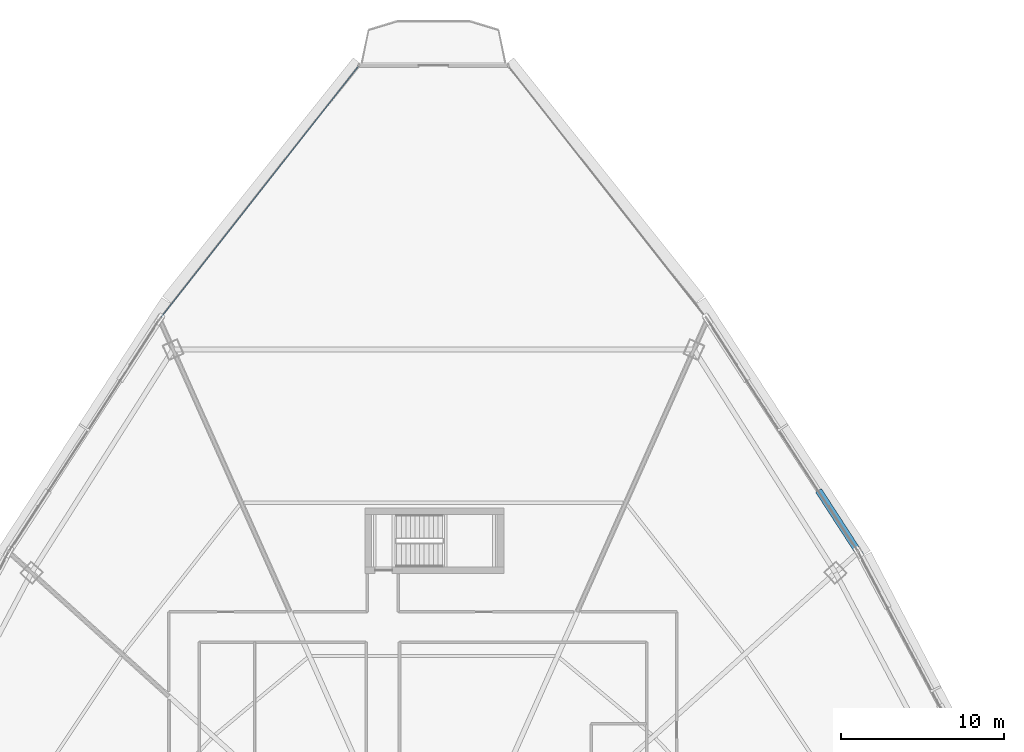
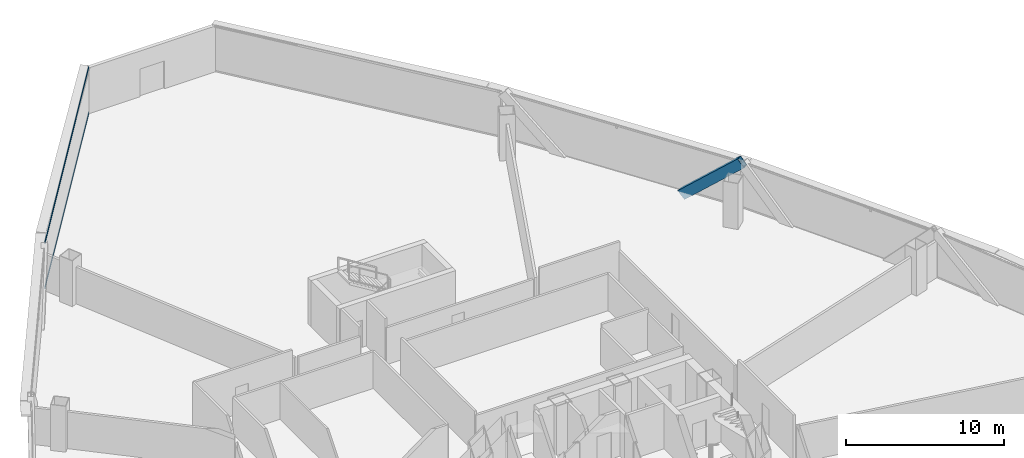
# One storey, part 25 of 39: 3 members, 1 element without a shape of its own.
"""IFC4 building model written with IfcOpenShell, lengths in metres."""

from ifc_helpers import new_model, si_unit, direction, frame, origin, origin_2d, place, context, subcontext, project, spatial, hollow_rectangle, extrude, source, transform, mapped, material, layer, layer_set, material_profile, profile_set, type_object, element, aggregate, save


model = new_model("IFC4")

# Units and contexts
model_context = context("Model", 3, precision=1e-05, world=origin(), true_north=direction((0.0, 1.0)))
body_context = subcontext(model_context, "Body", "Model", "MODEL_VIEW")
ifc_project = project(units=[si_unit("LENGTHUNIT", "METRE"), si_unit("AREAUNIT", "SQUARE_METRE"), si_unit("VOLUMEUNIT", "CUBIC_METRE"), si_unit("PLANEANGLEUNIT", "RADIAN"), si_unit("MASSUNIT", "GRAM", prefix="KILO"), si_unit("THERMODYNAMICTEMPERATUREUNIT", "KELVIN"), si_unit("POWERUNIT", "WATT")], contexts=[model_context])

# Site, building, storey
site_placement = place(None, origin())
site = spatial("IfcSite", under=ifc_project, at=site_placement, CompositionType="ELEMENT")
building_placement = place(site_placement, origin())
building = spatial("IfcBuilding", under=site, at=building_placement, Name="Yunzhuo Pagoda Commons", CompositionType="ELEMENT")
storey_placement = place(building_placement, frame((0.0, 0.0, 92.580078125)))
storey = spatial("IfcBuildingStorey", under=building, at=storey_placement, Name="L23", CompositionType="ELEMENT", Elevation=92.580078125)

# Member
ifc_material_1 = material(Name="Structural steel Q420B", Category="steel")
ifc_material_profile_1 = material_profile(ifc_material_1, hollow_rectangle(XDim=0.419921875, YDim=0.719970703125, WallThickness=0.028076171875, at=origin_2d()), Name="Structural steel Q420B")
ifc_profile_set_1 = profile_set([ifc_material_profile_1], Name="Structural steel Q420B")
member_type_1 = type_object("IfcMemberType", Name="M-DL1 Brace BOX 720x420x28", PredefinedType="BRACE", material=ifc_profile_set_1)
shared_shape_1 = source(origin(), body_context, "Body", "SweptSolid", [
    extrude(hollow_rectangle(XDim=0.419921875, YDim=0.719970703125, WallThickness=0.028076171875, at=origin_2d()), origin(), (0.0, 0.0, 1.0), 5.697509765625),
])
member_1_placement = place(storey_placement, frame((71.70068359375, 60.681640625, -0.260009765625), z_axis=(0.405453235797, -0.625105876538, 0.666971001393), x_axis=(0.838974060503, 0.544171412152, 0.0)))
element("IfcMember", 1, at=member_1_placement, inside=storey, type_object=member_type_1, Name="L23 facade diamond brace F2.3L", PredefinedType="BRACE", context=body_context, shape_type="MappedRepresentation", body=[
    mapped(shared_shape_1, transform((0.0, 0.0, 0.0), scale=1.0)),
])

# Curtain wall, members
ifc_material_2 = material(Name="Anodized aluminium 6063-T6", Category="aluminium")
ifc_layer = layer(ifc_material_2, 0.1650390625)
ifc_layer_set = layer_set([ifc_layer], Name="Anodized aluminium 6063-T6")
curtain_wall_type = type_object("IfcCurtainWallType", Name="CW-LOW Low-Zone Ribbon Curtain Wall", PredefinedType="NOTDEFINED", material=ifc_layer_set)
curtain_wall_placement = place(storey_placement, origin())
curtain_wall = element("IfcCurtainWall", 2, at=curtain_wall_placement, inside=storey, type_object=curtain_wall_type, Name="L23 curtain wall CW-L23-F3B1", PredefinedType="NOTDEFINED")
ifc_material_profile_2 = material_profile(ifc_material_2, hollow_rectangle(XDim=0.06005859375, YDim=0.139892578125, WallThickness=0.00341796875, at=origin_2d()), Name="Anodized aluminium 6063-T6")
ifc_profile_set_2 = profile_set([ifc_material_profile_2], Name="Anodized aluminium 6063-T6")
member_type_2 = type_object("IfcMemberType", Name="CW-LOW-T Transom RHS 140x60x3.5", PredefinedType="USERDEFINED", material=ifc_profile_set_2)
shared_shape_2 = source(origin(), body_context, "Body", "SweptSolid", [
    extrude(hollow_rectangle(XDim=0.06005859375, YDim=0.139892578125, WallThickness=0.00341796875, at=origin_2d()), origin(), (0.0, 0.0, 1.0), 19.558349609375),
])
member_2_placement = place(storey_placement, frame((43.40234375, 86.853759765625, 0.030029296875), z_axis=(-0.617957159447, -0.786211771146, 0.0), x_axis=(0.786211771146, -0.617957159447, 0.0)))
member_2 = element("IfcMember", 3, at=member_2_placement, type_object=member_type_2, Name="CW transom 1.1", ObjectType="TRANSOM", PredefinedType="USERDEFINED", context=body_context, shape_type="MappedRepresentation", body=[
    mapped(shared_shape_2, transform((0.0, 0.0, 0.0), scale=1.0)),
])
member_3_placement = place(storey_placement, frame((43.40234375, 86.853759765625, 3.510009765625), z_axis=(-0.617957159447, -0.786211771146, 0.0), x_axis=(0.786211771146, -0.617957159447, 0.0)))
member_3 = element("IfcMember", 4, at=member_3_placement, type_object=member_type_2, Name="CW transom 1.2", ObjectType="TRANSOM", PredefinedType="USERDEFINED", context=body_context, shape_type="MappedRepresentation", body=[
    mapped(shared_shape_2, transform((0.0, 0.0, 0.0), scale=1.0)),
])
aggregate(curtain_wall, [member_2, member_3])

save(model, "model.ifc")
